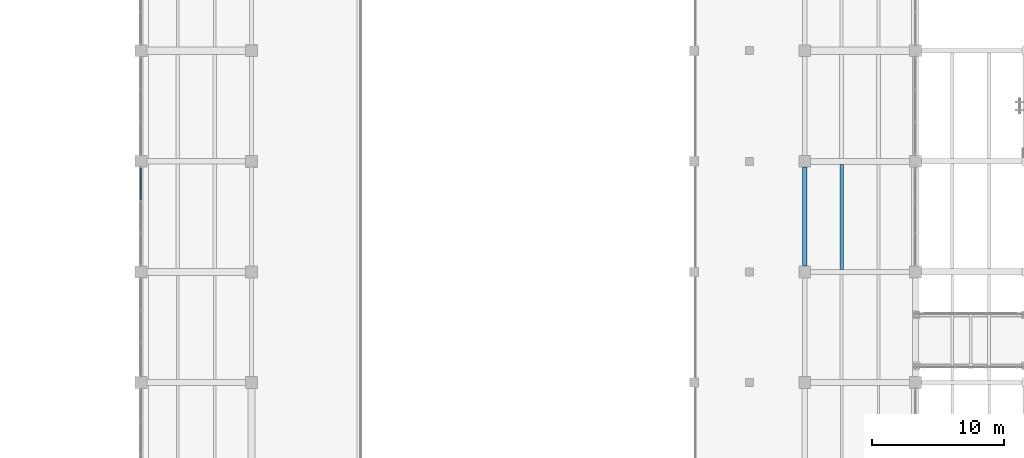
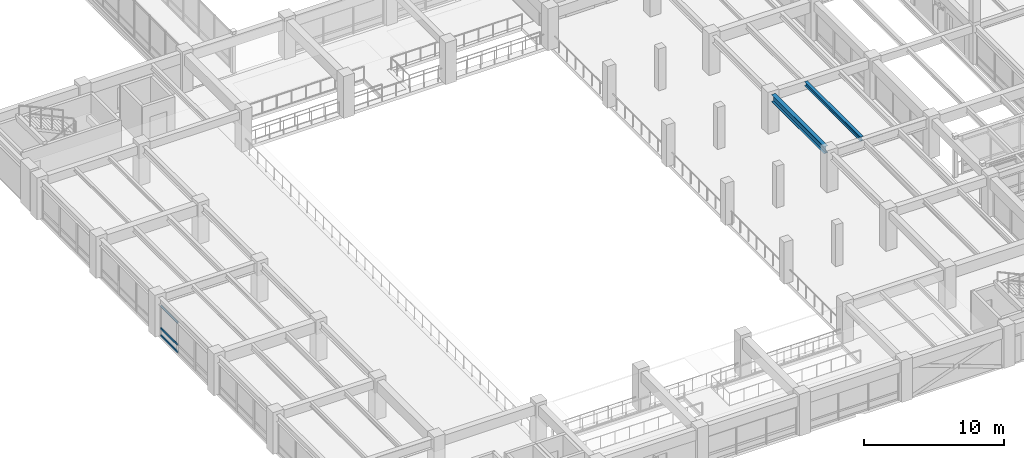
# One storey, part 16 of 118: 3 members, 2 beams, 1 element without a shape of its own.
"""IFC4 building model written with IfcOpenShell, lengths in metres."""

from ifc_helpers import new_model, si_unit, direction, frame, origin, origin_2d, place, context, subcontext, project, spatial, rectangle, i_section, extrude, material, material_profile, profile_set, type_object, element, aggregate, save


model = new_model("IFC4")

# Units and contexts
model_context = context("Model", 3, precision=1e-05, world=origin(), true_north=direction((0.0, 1.0)))
body_context = subcontext(model_context, "Body", "Model", "MODEL_VIEW")
ifc_project = project(units=[si_unit("LENGTHUNIT", "METRE"), si_unit("AREAUNIT", "SQUARE_METRE"), si_unit("VOLUMEUNIT", "CUBIC_METRE"), si_unit("PLANEANGLEUNIT", "RADIAN"), si_unit("MASSUNIT", "GRAM", prefix="KILO")], contexts=[model_context])

# Site, building, storey
site_placement = place(None, origin())
site = spatial("IfcSite", under=ifc_project, at=site_placement, CompositionType="ELEMENT")
building_placement = place(site_placement, origin())
building = spatial("IfcBuilding", under=site, at=building_placement, Name="Cumbredor Promenade Congress Hotel", CompositionType="ELEMENT")
storey_placement = place(building_placement, frame((0.0, 0.0, 3.919921875)))
storey = spatial("IfcBuildingStorey", under=building, at=storey_placement, Name="L01", CompositionType="ELEMENT", Elevation=3.919921875)

# Curtain wall, members
ifc_material_1 = material(Name="Thermally broken anodized aluminium and low-E glass", Category="aluminium")
curtain_wall_type = type_object("IfcCurtainWallType", Name="Unitised Bronze Curtain Wall CW-01", PredefinedType="NOTDEFINED", material=ifc_material_1)
curtain_wall_placement = place(storey_placement, origin())
curtain_wall = element("IfcCurtainWall", 1, at=curtain_wall_placement, inside=storey, type_object=curtain_wall_type, Name="L01 Plenary Congress Hall West Curtain Wall 4", PredefinedType="NOTDEFINED")
ifc_material_2 = material(Name="Thermally broken anodized aluminium", Category="aluminium")
ifc_material_profile_1 = material_profile(ifc_material_2, rectangle(XDim=0.080078125, YDim=0.179931640625, at=origin_2d()), Name="ALU TRANSOM 80x180")
ifc_profile_set_1 = profile_set([ifc_material_profile_1], Name="Thermally broken anodized aluminium")
member_type = type_object("IfcMemberType", Name="Curtain Wall Transom TR-03", PredefinedType="USERDEFINED", material=ifc_profile_set_1)
member_1_placement = place(storey_placement, frame((8.39990234375, 39.07177734375, 0.090087890625), z_axis=(0.0, 1.0, 0.0), x_axis=(-1.0, 0.0, 0.0)))
member_1 = element("IfcMember", 2, at=member_1_placement, type_object=member_type, Name="L01 Plenary Congress Hall West Curtain Wall 4 Transom 3.1", ObjectType="TRANSOM", PredefinedType="USERDEFINED", context=body_context, shape_type="SweptSolid", body=[
    extrude(rectangle(XDim=0.080078125, YDim=0.179931640625, at=origin_2d()), origin(), (0.0, 0.0, 1.0), 2.38330078125),
])
member_2_placement = place(storey_placement, frame((8.39990234375, 39.07177734375, 0.719970703125), z_axis=(0.0, 1.0, 0.0), x_axis=(-1.0, 0.0, 0.0)))
member_2 = element("IfcMember", 3, at=member_2_placement, type_object=member_type, Name="L01 Plenary Congress Hall West Curtain Wall 4 Transom 3.2", ObjectType="TRANSOM", PredefinedType="USERDEFINED", context=body_context, shape_type="SweptSolid", body=[
    extrude(rectangle(XDim=0.080078125, YDim=0.179931640625, at=origin_2d()), origin(), (0.0, 0.0, 1.0), 2.38330078125),
])
member_3_placement = place(storey_placement, frame((8.39990234375, 39.07177734375, 2.64013671875), z_axis=(0.0, 1.0, 0.0), x_axis=(-1.0, 0.0, 0.0)))
member_3 = element("IfcMember", 4, at=member_3_placement, type_object=member_type, Name="L01 Plenary Congress Hall West Curtain Wall 4 Transom 3.3", ObjectType="TRANSOM", PredefinedType="USERDEFINED", context=body_context, shape_type="SweptSolid", body=[
    extrude(rectangle(XDim=0.080078125, YDim=0.179931640625, at=origin_2d()), origin(), (0.0, 0.0, 1.0), 2.38330078125),
])
aggregate(curtain_wall, [member_1, member_2, member_3])

# Beams
ifc_material_3 = material(Name="Steel ASTM A992 Grade 50", Category="steel")
ifc_material_profile_2 = material_profile(ifc_material_3, i_section(OverallWidth=0.2548828125, OverallDepth=0.35693359375, WebThickness=0.010498046875, FlangeThickness=0.018310546875, at=origin_2d()), Name="W14X68")
ifc_profile_set_2 = profile_set([ifc_material_profile_2], Name="Steel ASTM A992 Grade 50")
beam_type_1 = type_object("IfcBeamType", Name="JST-W14X68", PredefinedType="JOIST", material=ifc_profile_set_2)
beam_1_placement = place(storey_placement, frame((61.60009765625, 33.800048828125, 3.181640625), z_axis=(0.0, 1.0, 0.0), x_axis=(-1.0, 0.0, 0.0)))
element("IfcBeam", 5, at=beam_1_placement, inside=storey, type_object=beam_type_1, Name="L02 Secondary Floor Joist 0048", PredefinedType="JOIST", context=body_context, shape_type="SweptSolid", body=[
    extrude(i_section(OverallWidth=0.2548828125, OverallDepth=0.35693359375, WebThickness=0.010498046875, FlangeThickness=0.018310546875, at=origin_2d()), origin(), (0.0, 0.0, 1.0), 7.974853515625),
])
ifc_material_profile_3 = material_profile(ifc_material_3, i_section(OverallWidth=0.323974609375, OverallDepth=0.611083984375, WebThickness=0.0126953125, FlangeThickness=0.01904296875, at=origin_2d()), Name="W24X104")
ifc_profile_set_3 = profile_set([ifc_material_profile_3], Name="Steel ASTM A992 Grade 50")
beam_type_2 = type_object("IfcBeamType", Name="SP-W24X104", PredefinedType="SPANDREL", material=ifc_profile_set_3)
beam_2_placement = place(storey_placement, frame((58.800048828125, 34.050048828125, 3.0546875), z_axis=(0.0, 1.0, 0.0), x_axis=(-1.0, 0.0, 0.0)))
element("IfcBeam", 6, at=beam_2_placement, inside=storey, type_object=beam_type_2, Name="L02 Y-Grid Beam 097", PredefinedType="SPANDREL", context=body_context, shape_type="SweptSolid", body=[
    extrude(i_section(OverallWidth=0.323974609375, OverallDepth=0.611083984375, WebThickness=0.0126953125, FlangeThickness=0.01904296875, at=origin_2d()), origin(), (0.0, 0.0, 1.0), 7.5),
])

save(model, "model.ifc")
